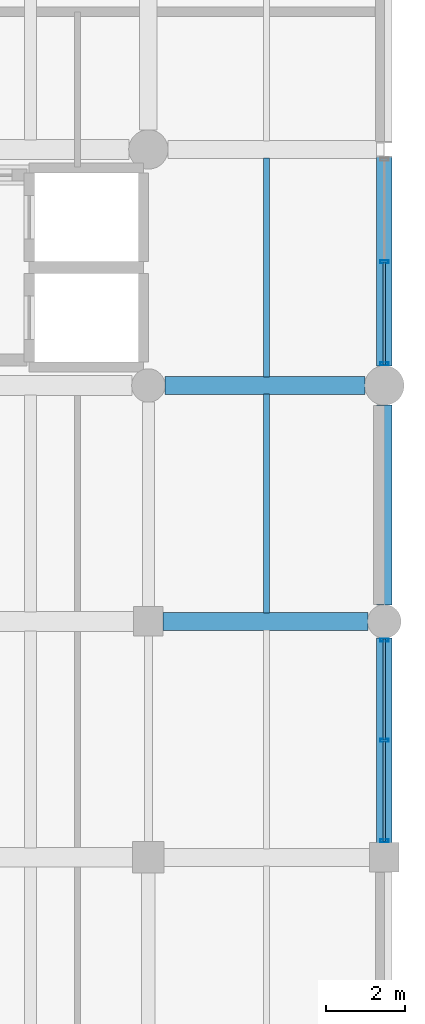
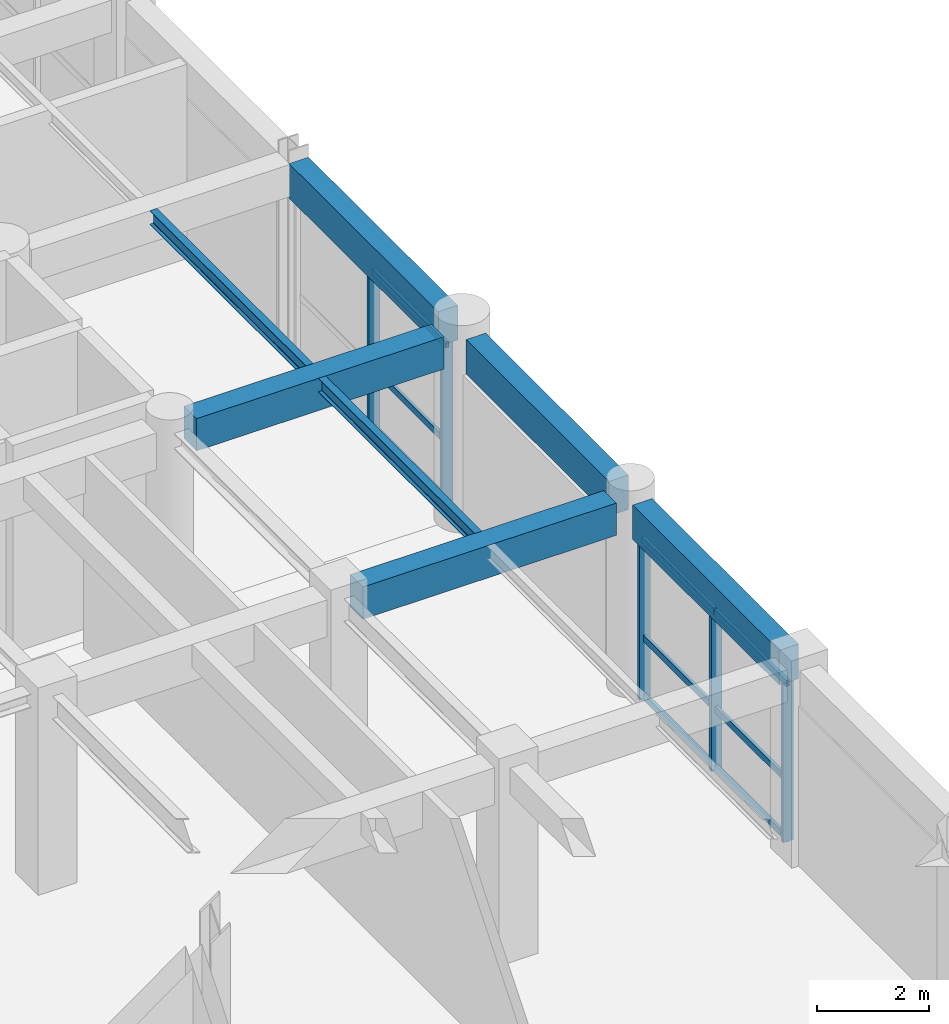
# One storey, part 84 of 133: 14 members, 7 beams, 2 elements without a shape of their own.
"""IFC4 building model written with IfcOpenShell, lengths in metres."""

from ifc_helpers import new_model, si_unit, direction, frame, origin, origin_2d, place, context, subcontext, project, spatial, rectangle, hollow_rectangle, i_section, extrude, material, material_profile, profile_set, type_object, element, aggregate, save


model = new_model("IFC4")

# Units and contexts
model_context = context("Model", 3, precision=1e-05, world=origin(), true_north=direction((0.0, 1.0)))
body_context = subcontext(model_context, "Body", "Model", "MODEL_VIEW")
ifc_project = project(units=[si_unit("LENGTHUNIT", "METRE"), si_unit("AREAUNIT", "SQUARE_METRE"), si_unit("VOLUMEUNIT", "CUBIC_METRE"), si_unit("PLANEANGLEUNIT", "RADIAN"), si_unit("MASSUNIT", "GRAM", prefix="KILO"), si_unit("THERMODYNAMICTEMPERATUREUNIT", "KELVIN"), si_unit("POWERUNIT", "WATT")], contexts=[model_context])

# Site, building, storey
site_placement = place(None, origin())
site = spatial("IfcSite", under=ifc_project, at=site_placement, CompositionType="ELEMENT")
building_placement = place(site_placement, origin())
building = spatial("IfcBuilding", under=site, at=building_placement, Name="Phaisarnlok Congress Hotel", CompositionType="ELEMENT")
storey_placement = place(building_placement, frame((0.0, 0.0, 6.0)))
storey = spatial("IfcBuildingStorey", under=building, at=storey_placement, Name="L01", CompositionType="ELEMENT", Elevation=6.0)

# Beams
ifc_material_1 = material(Name="Concrete C40/50", Category="concrete")
ifc_material_profile_1 = material_profile(ifc_material_1, rectangle(XDim=0.449951171875, YDim=0.699951171875, at=origin_2d()), Name="RC 450x700")
ifc_profile_set_1 = profile_set([ifc_material_profile_1], Name="Concrete C40/50")
beam_type_1 = type_object("IfcBeamType", Name="BM-RC-450x700", PredefinedType="BEAM", material=ifc_profile_set_1)
beam_1_placement = place(storey_placement, frame((174.3701171875, 102.0, 3.8701171875), z_axis=(1.0, 0.0, 0.0), x_axis=(0.0, 1.0, 0.0)))
element("IfcBeam", 1, at=beam_1_placement, inside=storey, type_object=beam_type_1, Name="Beam B-03", PredefinedType="BEAM", context=body_context, shape_type="SweptSolid", body=[
    extrude(rectangle(XDim=0.449951171875, YDim=0.699951171875, at=origin_2d()), origin(), (0.0, 0.0, 1.0), 5.2099609375),
])
beam_2_placement = place(storey_placement, frame((174.419921875, 108.0, 3.8701171875), z_axis=(1.0, 0.0, 0.0), x_axis=(0.0, 1.0, 0.0)))
element("IfcBeam", 2, at=beam_2_placement, inside=storey, type_object=beam_type_1, Name="Beam B-03", PredefinedType="BEAM", context=body_context, shape_type="SweptSolid", body=[
    extrude(rectangle(XDim=0.449951171875, YDim=0.699951171875, at=origin_2d()), origin(), (0.0, 0.0, 1.0), 5.0849609375),
])

# Curtain wall, members
ifc_material_2 = material(Name="Thermally Broken Unitised Aluminium & Low-E Glazing", Category="aluminium")
curtain_wall_type_1 = type_object("IfcCurtainWallType", Name="CW-UNIT-15", PredefinedType="NOTDEFINED", material=ifc_material_2)
curtain_wall_1_placement = place(storey_placement, origin())
curtain_wall_1 = element("IfcCurtainWall", 3, at=curtain_wall_1_placement, inside=storey, type_object=curtain_wall_type_1, Name="Unitised curtain wall CW-15 (L01)", PredefinedType="NOTDEFINED")
ifc_material_3 = material(Name="Anodised Aluminium Alloy 6063-T6", Category="aluminium")
ifc_material_profile_2 = material_profile(ifc_material_3, hollow_rectangle(XDim=0.074951171875, YDim=0.219970703125, WallThickness=0.0048828125, at=origin_2d()), Name="ALU-M 75x220x5")
ifc_profile_set_2 = profile_set([ifc_material_profile_2], Name="Anodised Aluminium Alloy 6063-T6")
member_type_1 = type_object("IfcMemberType", Name="CWM-220", PredefinedType="MULLION", material=ifc_profile_set_2)
member_1_placement = place(storey_placement, frame((180.0, 96.425048828125, 0.0), z_axis=(0.0, 0.0, 1.0), x_axis=(0.0, 1.0, 0.0)))
member_1 = element("IfcMember", 4, at=member_1_placement, type_object=member_type_1, Name="Curtain wall mullion CWM-02", PredefinedType="MULLION", context=body_context, shape_type="SweptSolid", body=[
    extrude(hollow_rectangle(XDim=0.074951171875, YDim=0.219970703125, WallThickness=0.0048828125, at=origin_2d()), origin(), (0.0, 0.0, 1.0), 3.469970703125),
])
member_2_placement = place(storey_placement, frame((180.0, 98.97509765625, 0.0), z_axis=(0.0, 0.0, 1.0), x_axis=(0.0, 1.0, 0.0)))
member_2 = element("IfcMember", 5, at=member_2_placement, type_object=member_type_1, Name="Curtain wall mullion CWM-02", PredefinedType="MULLION", context=body_context, shape_type="SweptSolid", body=[
    extrude(hollow_rectangle(XDim=0.074951171875, YDim=0.219970703125, WallThickness=0.0048828125, at=origin_2d()), origin(), (0.0, 0.0, 1.0), 3.469970703125),
])
member_3_placement = place(storey_placement, frame((180.0, 101.52490234375, 0.0), z_axis=(0.0, 0.0, 1.0), x_axis=(0.0, 1.0, 0.0)))
member_3 = element("IfcMember", 6, at=member_3_placement, type_object=member_type_1, Name="Curtain wall mullion CWM-02", PredefinedType="MULLION", context=body_context, shape_type="SweptSolid", body=[
    extrude(hollow_rectangle(XDim=0.074951171875, YDim=0.219970703125, WallThickness=0.0048828125, at=origin_2d()), origin(), (0.0, 0.0, 1.0), 3.469970703125),
])

curtain_wall_type_2 = type_object("IfcCurtainWallType", Name="CW-UNIT-13", PredefinedType="NOTDEFINED", material=ifc_material_2)
curtain_wall_2_placement = place(storey_placement, origin())
curtain_wall_2 = element("IfcCurtainWall", 7, at=curtain_wall_2_placement, inside=storey, type_object=curtain_wall_type_2, Name="Unitised curtain wall CW-13 (L01)", PredefinedType="NOTDEFINED")
member_4_placement = place(storey_placement, frame((180.0, 108.550048828125, 0.0), z_axis=(0.0, 0.0, 1.0), x_axis=(0.0, 1.0, 0.0)))
member_4 = element("IfcMember", 8, at=member_4_placement, type_object=member_type_1, Name="Curtain wall mullion CWM-02", PredefinedType="MULLION", context=body_context, shape_type="SweptSolid", body=[
    extrude(hollow_rectangle(XDim=0.074951171875, YDim=0.219970703125, WallThickness=0.0048828125, at=origin_2d()), origin(), (0.0, 0.0, 1.0), 3.469970703125),
])
member_5_placement = place(storey_placement, frame((180.0, 111.150146484375, 0.0), z_axis=(0.0, 0.0, 1.0), x_axis=(0.0, 1.0, 0.0)))
member_5 = element("IfcMember", 9, at=member_5_placement, type_object=member_type_1, Name="Curtain wall mullion CWM-02", PredefinedType="MULLION", context=body_context, shape_type="SweptSolid", body=[
    extrude(hollow_rectangle(XDim=0.074951171875, YDim=0.219970703125, WallThickness=0.0048828125, at=origin_2d()), origin(), (0.0, 0.0, 1.0), 3.469970703125),
])

# Member
ifc_material_profile_3 = material_profile(ifc_material_3, hollow_rectangle(XDim=0.06494140625, YDim=0.139892578125, WallThickness=0.00390625, at=origin_2d()), Name="ALU-T 65x140x4")
ifc_profile_set_3 = profile_set([ifc_material_profile_3], Name="Anodised Aluminium Alloy 6063-T6")
member_type_2 = type_object("IfcMemberType", Name="CWT-150", PredefinedType="USERDEFINED", material=ifc_profile_set_3)
member_6_placement = place(storey_placement, frame((180.0, 96.39990234375, 0.050048828125), z_axis=(0.0, 1.0, 0.0), x_axis=(-1.0, 0.0, 0.0)))
member_6 = element("IfcMember", 10, at=member_6_placement, type_object=member_type_2, Name="Curtain wall transom CWT-01", ObjectType="TRANSOM", PredefinedType="USERDEFINED", context=body_context, shape_type="SweptSolid", body=[
    extrude(hollow_rectangle(XDim=0.06494140625, YDim=0.139892578125, WallThickness=0.00390625, at=origin_2d()), origin(), (0.0, 0.0, 1.0), 2.56005859375),
])

member_7_placement = place(storey_placement, frame((180.0, 96.39990234375, 1.318603515625), z_axis=(0.0, 1.0, 0.0), x_axis=(-1.0, 0.0, 0.0)))
member_7 = element("IfcMember", 11, at=member_7_placement, type_object=member_type_2, Name="Curtain wall transom CWT-01", ObjectType="TRANSOM", PredefinedType="USERDEFINED", context=body_context, shape_type="SweptSolid", body=[
    extrude(hollow_rectangle(XDim=0.06494140625, YDim=0.139892578125, WallThickness=0.00390625, at=origin_2d()), origin(), (0.0, 0.0, 1.0), 2.56005859375),
])

member_8_placement = place(storey_placement, frame((180.0, 96.39990234375, 3.419921875), z_axis=(0.0, 1.0, 0.0), x_axis=(-1.0, 0.0, 0.0)))
member_8 = element("IfcMember", 12, at=member_8_placement, type_object=member_type_2, Name="Curtain wall transom CWT-01", ObjectType="TRANSOM", PredefinedType="USERDEFINED", context=body_context, shape_type="SweptSolid", body=[
    extrude(hollow_rectangle(XDim=0.06494140625, YDim=0.139892578125, WallThickness=0.00390625, at=origin_2d()), origin(), (0.0, 0.0, 1.0), 2.56005859375),
])

member_9_placement = place(storey_placement, frame((180.0, 98.989990234375, 0.050048828125), z_axis=(0.0, 1.0, 0.0), x_axis=(-1.0, 0.0, 0.0)))
member_9 = element("IfcMember", 13, at=member_9_placement, type_object=member_type_2, Name="Curtain wall transom CWT-01", ObjectType="TRANSOM", PredefinedType="USERDEFINED", context=body_context, shape_type="SweptSolid", body=[
    extrude(hollow_rectangle(XDim=0.06494140625, YDim=0.139892578125, WallThickness=0.00390625, at=origin_2d()), origin(), (0.0, 0.0, 1.0), 2.56005859375),
])

member_10_placement = place(storey_placement, frame((180.0, 98.989990234375, 1.318603515625), z_axis=(0.0, 1.0, 0.0), x_axis=(-1.0, 0.0, 0.0)))
member_10 = element("IfcMember", 14, at=member_10_placement, type_object=member_type_2, Name="Curtain wall transom CWT-01", ObjectType="TRANSOM", PredefinedType="USERDEFINED", context=body_context, shape_type="SweptSolid", body=[
    extrude(hollow_rectangle(XDim=0.06494140625, YDim=0.139892578125, WallThickness=0.00390625, at=origin_2d()), origin(), (0.0, 0.0, 1.0), 2.56005859375),
])

member_11_placement = place(storey_placement, frame((180.0, 98.989990234375, 3.419921875), z_axis=(0.0, 1.0, 0.0), x_axis=(-1.0, 0.0, 0.0)))
member_11 = element("IfcMember", 15, at=member_11_placement, type_object=member_type_2, Name="Curtain wall transom CWT-01", ObjectType="TRANSOM", PredefinedType="USERDEFINED", context=body_context, shape_type="SweptSolid", body=[
    extrude(hollow_rectangle(XDim=0.06494140625, YDim=0.139892578125, WallThickness=0.00390625, at=origin_2d()), origin(), (0.0, 0.0, 1.0), 2.56005859375),
])

aggregate(curtain_wall_1, [member_1, member_2, member_3, member_6, member_7, member_8, member_9, member_10, member_11])

member_12_placement = place(storey_placement, frame((180.0, 108.52490234375, 0.050048828125), z_axis=(0.0, 1.0, 0.0), x_axis=(-1.0, 0.0, 0.0)))
member_12 = element("IfcMember", 16, at=member_12_placement, type_object=member_type_2, Name="Curtain wall transom CWT-01", ObjectType="TRANSOM", PredefinedType="USERDEFINED", context=body_context, shape_type="SweptSolid", body=[
    extrude(hollow_rectangle(XDim=0.06494140625, YDim=0.139892578125, WallThickness=0.00390625, at=origin_2d()), origin(), (0.0, 0.0, 1.0), 2.6103515625),
])

member_13_placement = place(storey_placement, frame((180.0, 108.52490234375, 1.318603515625), z_axis=(0.0, 1.0, 0.0), x_axis=(-1.0, 0.0, 0.0)))
member_13 = element("IfcMember", 17, at=member_13_placement, type_object=member_type_2, Name="Curtain wall transom CWT-01", ObjectType="TRANSOM", PredefinedType="USERDEFINED", context=body_context, shape_type="SweptSolid", body=[
    extrude(hollow_rectangle(XDim=0.06494140625, YDim=0.139892578125, WallThickness=0.00390625, at=origin_2d()), origin(), (0.0, 0.0, 1.0), 2.6103515625),
])

member_14_placement = place(storey_placement, frame((180.0, 108.52490234375, 3.419921875), z_axis=(0.0, 1.0, 0.0), x_axis=(-1.0, 0.0, 0.0)))
member_14 = element("IfcMember", 18, at=member_14_placement, type_object=member_type_2, Name="Curtain wall transom CWT-01", ObjectType="TRANSOM", PredefinedType="USERDEFINED", context=body_context, shape_type="SweptSolid", body=[
    extrude(hollow_rectangle(XDim=0.06494140625, YDim=0.139892578125, WallThickness=0.00390625, at=origin_2d()), origin(), (0.0, 0.0, 1.0), 2.6103515625),
])

aggregate(curtain_wall_2, [member_4, member_5, member_12, member_13, member_14])

# Beams
ifc_material_4 = material(Name="Steel S355", Category="steel")
ifc_material_profile_4 = material_profile(ifc_material_4, i_section(OverallWidth=0.14990234375, OverallDepth=0.300048828125, WebThickness=0.007080078125, FlangeThickness=0.0107421875, FilletRadius=0.014892578125, at=origin_2d()), Name="IPE 300")
ifc_profile_set_4 = profile_set([ifc_material_profile_4], Name="Steel S355")
beam_type_2 = type_object("IfcBeamType", Name="JS-STL-IPE300", PredefinedType="JOIST", material=ifc_profile_set_4)
for number, where, z_axis, x_axis, name in (
    (19, (177.0, 102.219970703125, 4.070068359375), (0.0, 1.0, 0.0), (-1.0, 0.0, 0.0), "Secondary floor joist J-03"),
    (20, (177.0, 108.219970703125, 4.070068359375), (0.0, 1.0, 0.0), (-1.0, 0.0, 0.0), "Secondary floor joist J-03"),
):
    element("IfcBeam", number, at=place(storey_placement, frame(where, z_axis=z_axis, x_axis=x_axis)), inside=storey, type_object=beam_type_2, Name=name, PredefinedType="JOIST", context=body_context, shape_type="SweptSolid", body=[
        extrude(i_section(OverallWidth=0.14990234375, OverallDepth=0.300048828125, WebThickness=0.007080078125, FlangeThickness=0.0107421875, FilletRadius=0.014892578125, at=origin_2d()), origin(), (0.0, 0.0, 1.0), 5.56005859375),
    ])
ifc_material_profile_5 = material_profile(ifc_material_1, rectangle(XDim=0.39990234375, YDim=0.75, at=origin_2d()), Name="RC 400x750")
ifc_profile_set_5 = profile_set([ifc_material_profile_5], Name="Concrete C40/50")
beam_type_3 = type_object("IfcBeamType", Name="SP-RC-400x750", PredefinedType="SPANDREL", material=ifc_profile_set_5)
beam_3_placement = place(storey_placement, frame((180.0, 96.3701171875, 3.844970703125), z_axis=(0.0, 1.0, 0.0), x_axis=(-1.0, 0.0, 0.0)))
element("IfcBeam", 21, at=beam_3_placement, inside=storey, type_object=beam_type_3, Name="Beam SP-02", PredefinedType="SPANDREL", context=body_context, shape_type="SweptSolid", body=[
    extrude(rectangle(XDim=0.39990234375, YDim=0.75, at=origin_2d()), origin(), (0.0, 0.0, 1.0), 5.2099609375),
])
beam_4_placement = place(storey_placement, frame((180.0, 102.419921875, 3.844970703125), z_axis=(0.0, 1.0, 0.0), x_axis=(-1.0, 0.0, 0.0)))
element("IfcBeam", 22, at=beam_4_placement, inside=storey, type_object=beam_type_3, Name="Beam SP-02", PredefinedType="SPANDREL", context=body_context, shape_type="SweptSolid", body=[
    extrude(rectangle(XDim=0.39990234375, YDim=0.75, at=origin_2d()), origin(), (0.0, 0.0, 1.0), 5.0849609375),
])
beam_5_placement = place(storey_placement, frame((180.0, 108.4951171875, 3.844970703125), z_axis=(0.0, 1.0, 0.0), x_axis=(-1.0, 0.0, 0.0)))
element("IfcBeam", 23, at=beam_5_placement, inside=storey, type_object=beam_type_3, Name="Beam SP-02", PredefinedType="SPANDREL", context=body_context, shape_type="SweptSolid", body=[
    extrude(rectangle(XDim=0.39990234375, YDim=0.75, at=origin_2d()), origin(), (0.0, 0.0, 1.0), 5.310302734375),
])

save(model, "model.ifc")
